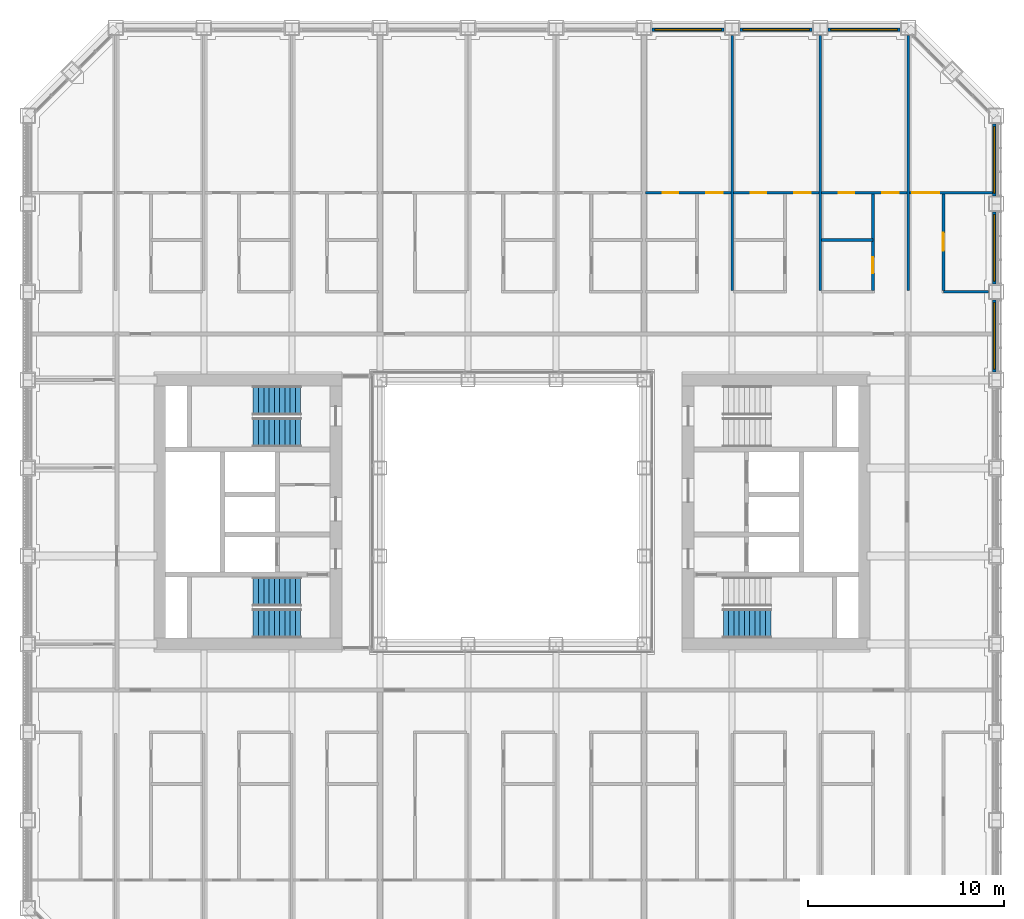
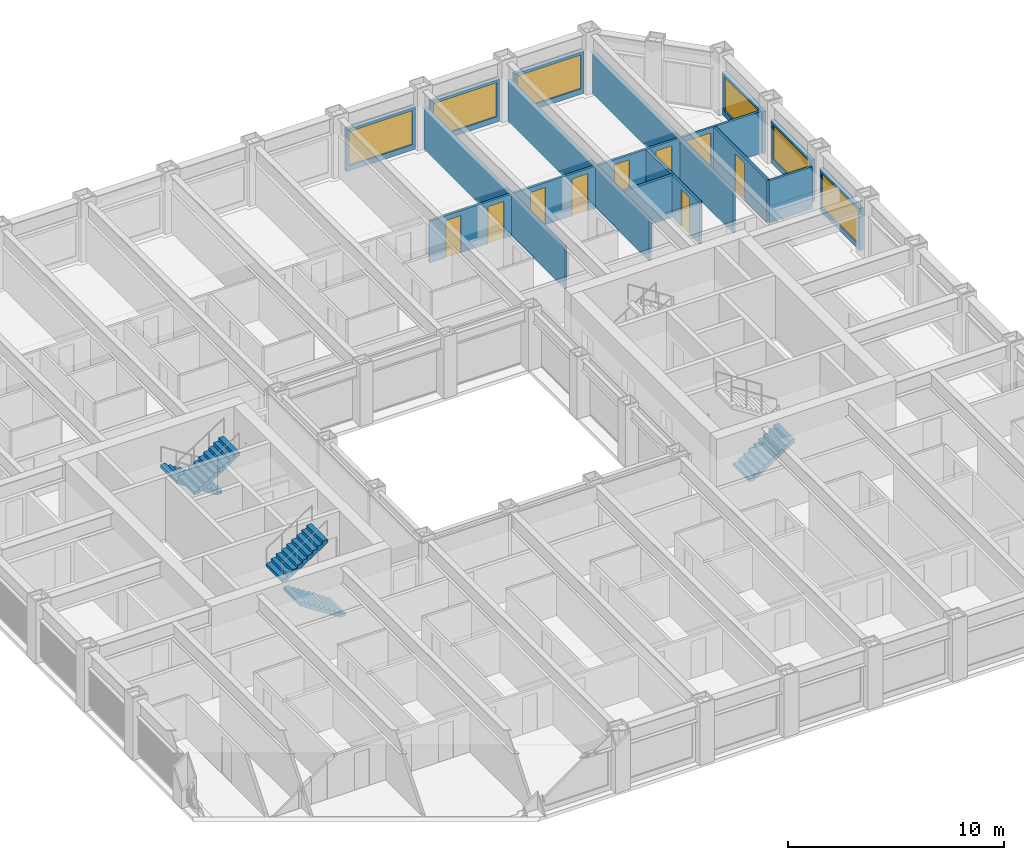
# One storey, part 15 of 21: 17 walls, 9 doors, 6 windows, 5 stair flights, 15 openings, 3 elements without a shape of their own.
"""IFC4 building model written with IfcOpenShell, lengths in metres."""

from ifc_helpers import new_model, si_unit, direction, frame, frame_2d, origin, place, context, subcontext, project, spatial, polyline, rectangle, outline, extrude, material, layer, layer_set, type_object, element, fill, aggregate, save


model = new_model("IFC4")

# Units and contexts
model_context = context("Model", 3, precision=1e-05, world=origin(), true_north=direction((0.0, 1.0)))
body_context = subcontext(model_context, "Body", "Model", "MODEL_VIEW")
ifc_project = project(units=[si_unit("LENGTHUNIT", "METRE"), si_unit("AREAUNIT", "SQUARE_METRE"), si_unit("VOLUMEUNIT", "CUBIC_METRE"), si_unit("PLANEANGLEUNIT", "RADIAN"), si_unit("MASSUNIT", "GRAM", prefix="KILO")], contexts=[model_context])

# Site, building, storey
site_placement = place(None, origin())
site = spatial("IfcSite", under=ifc_project, at=site_placement, CompositionType="ELEMENT")
building_placement = place(site_placement, origin())
building = spatial("IfcBuilding", under=site, at=building_placement, Name="Msasa Ring Tower", CompositionType="ELEMENT")
storey_placement = place(building_placement, frame((0.0, 0.0, 96.5)))
storey = spatial("IfcBuildingStorey", under=building, at=storey_placement, Name="L25", CompositionType="ELEMENT", Elevation=96.5)

# Wall, opening, window
ifc_material_1 = material(Name="Terracotta rainscreen on blockwork", Category="masonry")
ifc_layer_1 = layer(ifc_material_1, 0.199951171875)
ifc_layer_set_1 = layer_set([ifc_layer_1], Name="FW1 TERRACOTTA-LINED INFILL BAY WALL 200")
wall_type_1 = type_object("IfcWallType", Name="FW1 TERRACOTTA-LINED INFILL BAY WALL 200", PredefinedType="SOLIDWALL", material=ifc_layer_set_1)
wall_1_placement = place(storey_placement, frame((24.64990234375, 7.155029296875, 0.0), z_axis=(0.0, 0.0, 1.0), x_axis=(0.0, 1.0, 0.0)))
wall_1 = element("IfcWall", 1, at=wall_1_placement, inside=storey, type_object=wall_type_1, Name="Infill bay wall E L25 17", PredefinedType="SOLIDWALL", context=body_context, shape_type="SweptSolid", body=[
    extrude(rectangle(XDim=3.68994140625, YDim=0.199951171875, at=frame_2d((1.844970703125, 0.0))), origin(), (0.0, 0.0, 1.0), 2.37890625),
])
opening_1_placement = place(wall_1_placement, frame((0.14501953125, 0.0, 0.300048828125)))
opening_1 = element("IfcOpeningElement", 2, at=opening_1_placement, cuts=wall_1, Name="Opening WN1", PredefinedType="OPENING", context=body_context, shape_type="SweptSolid", body=[
    extrude(rectangle(XDim=3.39990234375, YDim=1.928955078125, at=frame_2d((1.699951171875, 0.96435546875))), frame((0.0, 0.10986328125, 0.0), z_axis=(0.0, -1.0, 0.0), x_axis=(1.0, 0.0, 0.0)), (0.0, 0.0, 1.0), 0.219970703125),
])
ifc_material_2 = material(Name="Aluminium frame with clear glass", Category="aluminium")
window_type = type_object("IfcWindowType", Name="WN1 RESIDENCE WINDOW 3400x1929", PartitioningType="SINGLE_PANEL", PredefinedType="WINDOW", material=ifc_material_2)
window_1_placement = place(opening_1_placement, origin())
window_1 = element("IfcWindow", 3, at=window_1_placement, inside=storey, type_object=window_type, Name="Window E L25 17", OverallHeight=1.928955078125, OverallWidth=3.39990234375, PartitioningType="SINGLE_PANEL", PredefinedType="WINDOW", context=body_context, shape_type="SweptSolid", body=[
    extrude(rectangle(XDim=3.39990234375, YDim=1.928955078125, at=frame_2d((1.699951171875, 0.96435546875))), frame((0.0, 0.030029296875, 0.0), z_axis=(0.0, -1.0, 0.0), x_axis=(1.0, 0.0, 0.0)), (0.0, 0.0, 1.0), 0.06005859375),
])
fill(opening_1, window_1)

wall_2_placement = place(storey_placement, frame((24.64990234375, 11.655029296875, 0.0), z_axis=(0.0, 0.0, 1.0), x_axis=(0.0, 1.0, 0.0)))
wall_2 = element("IfcWall", 4, at=wall_2_placement, inside=storey, type_object=wall_type_1, Name="Infill bay wall E L25 18", PredefinedType="SOLIDWALL", context=body_context, shape_type="SweptSolid", body=[
    extrude(rectangle(XDim=3.68994140625, YDim=0.199951171875, at=frame_2d((1.844970703125, 0.0))), origin(), (0.0, 0.0, 1.0), 2.37890625),
])
opening_2_placement = place(wall_2_placement, frame((0.14501953125, 0.0, 0.300048828125)))
opening_2 = element("IfcOpeningElement", 5, at=opening_2_placement, cuts=wall_2, Name="Opening WN1", PredefinedType="OPENING", context=body_context, shape_type="SweptSolid", body=[
    extrude(rectangle(XDim=3.39990234375, YDim=1.928955078125, at=frame_2d((1.699951171875, 0.96435546875))), frame((0.0, 0.10986328125, 0.0), z_axis=(0.0, -1.0, 0.0), x_axis=(1.0, 0.0, 0.0)), (0.0, 0.0, 1.0), 0.219970703125),
])
window_2_placement = place(opening_2_placement, origin())
window_2 = element("IfcWindow", 6, at=window_2_placement, inside=storey, type_object=window_type, Name="Window E L25 18", OverallHeight=1.928955078125, OverallWidth=3.39990234375, PartitioningType="SINGLE_PANEL", PredefinedType="WINDOW", context=body_context, shape_type="SweptSolid", body=[
    extrude(rectangle(XDim=3.39990234375, YDim=1.928955078125, at=frame_2d((1.699951171875, 0.96435546875))), frame((0.0, 0.030029296875, 0.0), z_axis=(0.0, -1.0, 0.0), x_axis=(1.0, 0.0, 0.0)), (0.0, 0.0, 1.0), 0.06005859375),
])
fill(opening_2, window_2)

wall_3_placement = place(storey_placement, frame((24.64990234375, 16.155029296875, 0.0), z_axis=(0.0, 0.0, 1.0), x_axis=(0.0, 1.0, 0.0)))
wall_3 = element("IfcWall", 7, at=wall_3_placement, inside=storey, type_object=wall_type_1, Name="Infill bay wall E L25 19", PredefinedType="SOLIDWALL", context=body_context, shape_type="SweptSolid", body=[
    extrude(rectangle(XDim=3.68994140625, YDim=0.199951171875, at=frame_2d((1.844970703125, 0.0))), origin(), (0.0, 0.0, 1.0), 2.37890625),
])
opening_3_placement = place(wall_3_placement, frame((0.14501953125, 0.0, 0.300048828125)))
opening_3 = element("IfcOpeningElement", 8, at=opening_3_placement, cuts=wall_3, Name="Opening WN1", PredefinedType="OPENING", context=body_context, shape_type="SweptSolid", body=[
    extrude(rectangle(XDim=3.39990234375, YDim=1.928955078125, at=frame_2d((1.699951171875, 0.96435546875))), frame((0.0, 0.10986328125, 0.0), z_axis=(0.0, -1.0, 0.0), x_axis=(1.0, 0.0, 0.0)), (0.0, 0.0, 1.0), 0.219970703125),
])
window_3_placement = place(opening_3_placement, origin())
window_3 = element("IfcWindow", 9, at=window_3_placement, inside=storey, type_object=window_type, Name="Window E L25 19", OverallHeight=1.928955078125, OverallWidth=3.39990234375, PartitioningType="SINGLE_PANEL", PredefinedType="WINDOW", context=body_context, shape_type="SweptSolid", body=[
    extrude(rectangle(XDim=3.39990234375, YDim=1.928955078125, at=frame_2d((1.699951171875, 0.96435546875))), frame((0.0, 0.030029296875, 0.0), z_axis=(0.0, -1.0, 0.0), x_axis=(1.0, 0.0, 0.0)), (0.0, 0.0, 1.0), 0.06005859375),
])
fill(opening_3, window_3)

wall_4_placement = place(storey_placement, frame((7.155029296875, 24.64990234375, 0.0), z_axis=(0.0, 0.0, 1.0), x_axis=(1.0, 0.0, 0.0)))
wall_4 = element("IfcWall", 10, at=wall_4_placement, inside=storey, type_object=wall_type_1, Name="Infill bay wall N L25 28", PredefinedType="SOLIDWALL", context=body_context, shape_type="SweptSolid", body=[
    extrude(rectangle(XDim=3.68994140625, YDim=0.199951171875, at=frame_2d((1.844970703125, 0.0))), origin(), (0.0, 0.0, 1.0), 2.37890625),
])
opening_4_placement = place(wall_4_placement, frame((0.14501953125, 0.0, 0.300048828125)))
opening_4 = element("IfcOpeningElement", 11, at=opening_4_placement, cuts=wall_4, Name="Opening WN1", PredefinedType="OPENING", context=body_context, shape_type="SweptSolid", body=[
    extrude(rectangle(XDim=3.39990234375, YDim=1.928955078125, at=frame_2d((1.699951171875, 0.96435546875))), frame((0.0, 0.10986328125, 0.0), z_axis=(0.0, -1.0, 0.0), x_axis=(1.0, 0.0, 0.0)), (0.0, 0.0, 1.0), 0.219970703125),
])
window_4_placement = place(opening_4_placement, origin())
window_4 = element("IfcWindow", 12, at=window_4_placement, inside=storey, type_object=window_type, Name="Window N L25 28", OverallHeight=1.928955078125, OverallWidth=3.39990234375, PartitioningType="SINGLE_PANEL", PredefinedType="WINDOW", context=body_context, shape_type="SweptSolid", body=[
    extrude(rectangle(XDim=3.39990234375, YDim=1.928955078125, at=frame_2d((1.699951171875, 0.96435546875))), frame((0.0, 0.030029296875, 0.0), z_axis=(0.0, -1.0, 0.0), x_axis=(1.0, 0.0, 0.0)), (0.0, 0.0, 1.0), 0.06005859375),
])
fill(opening_4, window_4)

wall_5_placement = place(storey_placement, frame((11.655029296875, 24.64990234375, 0.0), z_axis=(0.0, 0.0, 1.0), x_axis=(1.0, 0.0, 0.0)))
wall_5 = element("IfcWall", 13, at=wall_5_placement, inside=storey, type_object=wall_type_1, Name="Infill bay wall N L25 29", PredefinedType="SOLIDWALL", context=body_context, shape_type="SweptSolid", body=[
    extrude(rectangle(XDim=3.68994140625, YDim=0.199951171875, at=frame_2d((1.844970703125, 0.0))), origin(), (0.0, 0.0, 1.0), 2.37890625),
])
opening_5_placement = place(wall_5_placement, frame((0.14501953125, 0.0, 0.300048828125)))
opening_5 = element("IfcOpeningElement", 14, at=opening_5_placement, cuts=wall_5, Name="Opening WN1", PredefinedType="OPENING", context=body_context, shape_type="SweptSolid", body=[
    extrude(rectangle(XDim=3.39990234375, YDim=1.928955078125, at=frame_2d((1.699951171875, 0.96435546875))), frame((0.0, 0.10986328125, 0.0), z_axis=(0.0, -1.0, 0.0), x_axis=(1.0, 0.0, 0.0)), (0.0, 0.0, 1.0), 0.219970703125),
])
window_5_placement = place(opening_5_placement, origin())
window_5 = element("IfcWindow", 15, at=window_5_placement, inside=storey, type_object=window_type, Name="Window N L25 29", OverallHeight=1.928955078125, OverallWidth=3.39990234375, PartitioningType="SINGLE_PANEL", PredefinedType="WINDOW", context=body_context, shape_type="SweptSolid", body=[
    extrude(rectangle(XDim=3.39990234375, YDim=1.928955078125, at=frame_2d((1.699951171875, 0.96435546875))), frame((0.0, 0.030029296875, 0.0), z_axis=(0.0, -1.0, 0.0), x_axis=(1.0, 0.0, 0.0)), (0.0, 0.0, 1.0), 0.06005859375),
])
fill(opening_5, window_5)

wall_6_placement = place(storey_placement, frame((16.155029296875, 24.64990234375, 0.0), z_axis=(0.0, 0.0, 1.0), x_axis=(1.0, 0.0, 0.0)))
wall_6 = element("IfcWall", 16, at=wall_6_placement, inside=storey, type_object=wall_type_1, Name="Infill bay wall N L25 30", PredefinedType="SOLIDWALL", context=body_context, shape_type="SweptSolid", body=[
    extrude(rectangle(XDim=3.68994140625, YDim=0.199951171875, at=frame_2d((1.844970703125, 0.0))), origin(), (0.0, 0.0, 1.0), 2.37890625),
])
opening_6_placement = place(wall_6_placement, frame((0.14501953125, 0.0, 0.300048828125)))
opening_6 = element("IfcOpeningElement", 17, at=opening_6_placement, cuts=wall_6, Name="Opening WN1", PredefinedType="OPENING", context=body_context, shape_type="SweptSolid", body=[
    extrude(rectangle(XDim=3.39990234375, YDim=1.928955078125, at=frame_2d((1.699951171875, 0.96435546875))), frame((0.0, 0.10986328125, 0.0), z_axis=(0.0, -1.0, 0.0), x_axis=(1.0, 0.0, 0.0)), (0.0, 0.0, 1.0), 0.219970703125),
])
window_6_placement = place(opening_6_placement, origin())
window_6 = element("IfcWindow", 18, at=window_6_placement, inside=storey, type_object=window_type, Name="Window N L25 30", OverallHeight=1.928955078125, OverallWidth=3.39990234375, PartitioningType="SINGLE_PANEL", PredefinedType="WINDOW", context=body_context, shape_type="SweptSolid", body=[
    extrude(rectangle(XDim=3.39990234375, YDim=1.928955078125, at=frame_2d((1.699951171875, 0.96435546875))), frame((0.0, 0.030029296875, 0.0), z_axis=(0.0, -1.0, 0.0), x_axis=(1.0, 0.0, 0.0)), (0.0, 0.0, 1.0), 0.06005859375),
])
fill(opening_6, window_6)

# Wall, opening, door
ifc_material_3 = material(Name="Moisture-resistant board on steel studs with a concealed cistern and pipe void, tiled", Category="steel")
ifc_layer_2 = layer(ifc_material_3, 0.14990234375)
ifc_layer_set_2 = layer_set([ifc_layer_2], Name="PT4 BATHROOM WET WALL 150")
wall_type_2 = type_object("IfcWallType", Name="PT4 BATHROOM WET WALL 150", PredefinedType="PARTITIONING", material=ifc_layer_set_2)
wall_7_placement = place(storey_placement, frame((22.050048828125, 11.3125, 0.0), z_axis=(0.0, 0.0, 1.0), x_axis=(0.0, 1.0, 0.0)))
wall_7 = element("IfcWall", 19, at=wall_7_placement, inside=storey, type_object=wall_type_2, Name="Partition L25-UN02SX0", PredefinedType="PARTITIONING", context=body_context, shape_type="SweptSolid", body=[
    extrude(rectangle(XDim=5.0, YDim=0.14990234375, at=frame_2d((2.5, 0.0))), origin(), (0.0, 0.0, 1.0), 2.373291015625),
])
opening_7_placement = place(wall_7_placement, frame((2.050048828125, 0.0, 0.0)))
opening_7 = element("IfcOpeningElement", 20, at=opening_7_placement, cuts=wall_7, Name="Opening RG-022", PredefinedType="OPENING", context=body_context, shape_type="SweptSolid", body=[
    extrude(rectangle(XDim=0.89990234375, YDim=2.10009765625, at=frame_2d((0.449951171875, 1.050048828125))), frame((0.0, 0.0849609375, 0.0), z_axis=(0.0, -1.0, 0.0), x_axis=(1.0, 0.0, 0.0)), (0.0, 0.0, 1.0), 0.169921875),
])
ifc_material_4 = material(Name="Timber door leaf in a steel frame", Category="steel")
door_type_1 = type_object("IfcDoorType", Name="D22 INTERNAL HALL DOOR 900x2100", OperationType="SINGLE_SWING_LEFT", PredefinedType="DOOR", material=ifc_material_4)
door_1_placement = place(opening_7_placement, origin())
door_1 = element("IfcDoor", 21, at=door_1_placement, inside=storey, type_object=door_type_1, Name="Door L25-UN02K", OperationType="SINGLE_SWING_LEFT", OverallHeight=2.10009765625, OverallWidth=0.89990234375, PredefinedType="DOOR", context=body_context, shape_type="SweptSolid", body=[
    extrude(rectangle(XDim=0.89990234375, YDim=2.10009765625, at=frame_2d((0.449951171875, 1.050048828125))), frame((0.0, 0.02490234375, 0.0), z_axis=(0.0, -1.0, 0.0), x_axis=(1.0, 0.0, 0.0)), (0.0, 0.0, 1.0), 0.050048828125),
])
fill(opening_7, door_1)

wall_8_placement = place(storey_placement, frame((18.449951171875, 11.3125, 0.0), z_axis=(0.0, 0.0, 1.0), x_axis=(0.0, 1.0, 0.0)))
wall_8 = element("IfcWall", 22, at=wall_8_placement, inside=storey, type_object=wall_type_2, Name="Partition L25-UN02SX1", PredefinedType="PARTITIONING", context=body_context, shape_type="SweptSolid", body=[
    extrude(rectangle(XDim=5.0, YDim=0.14990234375, at=frame_2d((2.5, 0.0))), origin(), (0.0, 0.0, 1.0), 2.373291015625),
])
opening_8_placement = place(wall_8_placement, frame((0.89990234375, 0.0, 0.0)))
opening_8 = element("IfcOpeningElement", 23, at=opening_8_placement, cuts=wall_8, Name="Opening RG-030", PredefinedType="OPENING", context=body_context, shape_type="SweptSolid", body=[
    extrude(rectangle(XDim=0.800048828125, YDim=2.10009765625, at=frame_2d((0.39990234375, 1.050048828125))), frame((0.0, 0.0849609375, 0.0), z_axis=(0.0, -1.0, 0.0), x_axis=(1.0, 0.0, 0.0)), (0.0, 0.0, 1.0), 0.169921875),
])
ifc_material_5 = material(Name="Timber door leaf in a steel frame", Category="steel")
door_type_2 = type_object("IfcDoorType", Name="D21 POCKET SLIDING BATHROOM DOOR 800x2100", OperationType="SINGLE_SWING_LEFT", PredefinedType="DOOR", material=ifc_material_5)
door_2_placement = place(opening_8_placement, origin())
door_2 = element("IfcDoor", 24, at=door_2_placement, inside=storey, type_object=door_type_2, Name="Door L25-UN02B1", OperationType="SINGLE_SWING_LEFT", OverallHeight=2.10009765625, OverallWidth=0.800048828125, PredefinedType="DOOR", context=body_context, shape_type="SweptSolid", body=[
    extrude(rectangle(XDim=0.800048828125, YDim=2.10009765625, at=frame_2d((0.39990234375, 1.050048828125))), frame((0.0, 0.02490234375, 0.0), z_axis=(0.0, -1.0, 0.0), x_axis=(1.0, 0.0, 0.0)), (0.0, 0.0, 1.0), 0.050048828125),
])
fill(opening_8, door_2)

# Walls
wall_9_placement = place(storey_placement, frame((15.8125, 13.91259765625, 0.0), z_axis=(0.0, 0.0, 1.0), x_axis=(1.0, 0.0, 0.0)))
element("IfcWall", 25, at=wall_9_placement, inside=storey, type_object=wall_type_2, Name="Partition L25-UN02SB1", PredefinedType="PARTITIONING", context=body_context, shape_type="SweptSolid", body=[
    extrude(rectangle(XDim=2.637451171875, YDim=0.14990234375, at=frame_2d((1.31884765625, 0.0))), origin(), (0.0, 0.0, 1.0), 2.373291015625),
])
ifc_material_6 = material(Name="Two layers of acoustic board each face on steel studs, mineral wool", Category="steel")
ifc_layer_3 = layer(ifc_material_6, 0.125)
ifc_layer_set_3 = layer_set([ifc_layer_3], Name="PT6 ACOUSTIC DOUBLE-BOARD PARTITION 125")
wall_type_3 = type_object("IfcWallType", Name="PT6 ACOUSTIC DOUBLE-BOARD PARTITION 125", PredefinedType="PARTITIONING", material=ifc_layer_set_3)
wall_10_placement = place(storey_placement, frame((22.050048828125, 11.25, 0.0), z_axis=(0.0, 0.0, 1.0), x_axis=(1.0, 0.0, 0.0)))
element("IfcWall", 26, at=wall_10_placement, inside=storey, type_object=wall_type_3, Name="Partition L25-UN02HY0", PredefinedType="PARTITIONING", context=body_context, shape_type="SweptSolid", body=[
    extrude(rectangle(XDim=2.300048828125, YDim=0.125, at=frame_2d((1.14990234375, 0.0))), origin(), (0.0, 0.0, 1.0), 2.373291015625),
])

# Wall, opening, door
wall_11_placement = place(storey_placement, frame((20.3125, 16.3125, 0.0), z_axis=(0.0, 0.0, 1.0), x_axis=(1.0, 0.0, 0.0)))
wall_11 = element("IfcWall", 27, at=wall_11_placement, inside=storey, type_object=wall_type_3, Name="Partition L25-UN02SY0", PredefinedType="PARTITIONING", context=body_context, shape_type="SweptSolid", body=[
    extrude(rectangle(XDim=4.237548828125, YDim=0.125, at=frame_2d((2.11865234375, 0.0))), origin(), (0.0, 0.0, 1.0), 2.373291015625),
])
opening_9_placement = place(wall_11_placement, frame((0.137451171875, 0.0, 0.0)))
opening_9 = element("IfcOpeningElement", 28, at=opening_9_placement, cuts=wall_11, Name="Opening RG-019", PredefinedType="OPENING", context=body_context, shape_type="SweptSolid", body=[
    extrude(rectangle(XDim=1.39990234375, YDim=2.10009765625, at=frame_2d((0.699951171875, 1.050048828125))), frame((0.0, 0.072509765625, 0.0), z_axis=(0.0, -1.0, 0.0), x_axis=(1.0, 0.0, 0.0)), (0.0, 0.0, 1.0), 0.14501953125),
])
ifc_material_7 = material(Name="Timber door leaf in a steel frame", Category="steel")
door_type_3 = type_object("IfcDoorType", Name="D15 LIVING ROOM PAIR OF GLAZED DOORS 1400x2100", OperationType="SINGLE_SWING_LEFT", PredefinedType="DOOR", material=ifc_material_7)
door_3_placement = place(opening_9_placement, origin())
door_3 = element("IfcDoor", 29, at=door_3_placement, inside=storey, type_object=door_type_3, Name="Door L25-UN02L", OperationType="SINGLE_SWING_LEFT", OverallHeight=2.10009765625, OverallWidth=1.39990234375, PredefinedType="DOOR", context=body_context, shape_type="SweptSolid", body=[
    extrude(rectangle(XDim=1.39990234375, YDim=2.10009765625, at=frame_2d((0.699951171875, 1.050048828125))), frame((0.0, 0.02490234375, 0.0), z_axis=(0.0, -1.0, 0.0), x_axis=(1.0, 0.0, 0.0)), (0.0, 0.0, 1.0), 0.050048828125),
])
fill(opening_9, door_3)

# Wall
wall_12_placement = place(storey_placement, frame((20.25, 11.3125, 0.0), z_axis=(0.0, 0.0, 1.0), x_axis=(0.0, 1.0, 0.0)))
element("IfcWall", 30, at=wall_12_placement, inside=storey, type_object=wall_type_3, Name="Partition L25-UN02P1", PredefinedType="PARTITIONING", context=body_context, shape_type="SweptSolid", body=[
    extrude(rectangle(XDim=13.03759765625, YDim=0.125, at=frame_2d((6.518798828125, 0.0))), origin(), (0.0, 0.0, 1.0), 2.373291015625),
])

# Wall, openings, doors
wall_13_placement = place(storey_placement, frame((15.8125, 16.3125, 0.0), z_axis=(0.0, 0.0, 1.0), x_axis=(1.0, 0.0, 0.0)))
wall_13 = element("IfcWall", 31, at=wall_13_placement, inside=storey, type_object=wall_type_3, Name="Partition L25-UN02SY1", PredefinedType="PARTITIONING", context=body_context, shape_type="SweptSolid", body=[
    extrude(rectangle(XDim=4.375, YDim=0.125, at=frame_2d((2.1875, 0.0))), origin(), (0.0, 0.0, 1.0), 2.373291015625),
])
opening_10_placement = place(wall_13_placement, frame((3.112548828125, 0.0, 0.0)))
opening_10 = element("IfcOpeningElement", 32, at=opening_10_placement, cuts=wall_13, Name="Opening RG-018", PredefinedType="OPENING", context=body_context, shape_type="SweptSolid", body=[
    extrude(rectangle(XDim=0.85009765625, YDim=2.10009765625, at=frame_2d((0.425048828125, 1.050048828125))), frame((0.0, 0.072509765625, 0.0), z_axis=(0.0, -1.0, 0.0), x_axis=(1.0, 0.0, 0.0)), (0.0, 0.0, 1.0), 0.14501953125),
])
opening_11_placement = place(wall_13_placement, frame((0.88134765625, 0.0, 0.0)))
opening_11 = element("IfcOpeningElement", 33, at=opening_11_placement, cuts=wall_13, Name="Opening RG-017", PredefinedType="OPENING", context=body_context, shape_type="SweptSolid", body=[
    extrude(rectangle(XDim=0.800048828125, YDim=2.10009765625, at=frame_2d((0.39990234375, 1.050048828125))), frame((0.0, 0.072509765625, 0.0), z_axis=(0.0, -1.0, 0.0), x_axis=(1.0, 0.0, 0.0)), (0.0, 0.0, 1.0), 0.14501953125),
])
ifc_material_8 = material(Name="Timber door leaf in a steel frame", Category="steel")
door_type_4 = type_object("IfcDoorType", Name="D14 BEDROOM DOOR 850x2100", OperationType="SINGLE_SWING_LEFT", PredefinedType="DOOR", material=ifc_material_8)
door_4_placement = place(opening_10_placement, origin())
door_4 = element("IfcDoor", 34, at=door_4_placement, inside=storey, type_object=door_type_4, Name="Door L25-UN02R1", OperationType="SINGLE_SWING_RIGHT", OverallHeight=2.10009765625, OverallWidth=0.85009765625, PredefinedType="DOOR", context=body_context, shape_type="SweptSolid", body=[
    extrude(rectangle(XDim=0.85009765625, YDim=2.10009765625, at=frame_2d((0.425048828125, 1.050048828125))), frame((0.0, 0.02490234375, 0.0), z_axis=(0.0, -1.0, 0.0), x_axis=(1.0, 0.0, 0.0)), (0.0, 0.0, 1.0), 0.050048828125),
])
fill(opening_10, door_4)
ifc_material_9 = material(Name="Timber door leaf in a steel frame", Category="steel")
door_type_5 = type_object("IfcDoorType", Name="D60 DRESSING ROOM DOOR 800x2100", OperationType="SINGLE_SWING_LEFT", PredefinedType="DOOR", material=ifc_material_9)
door_5_placement = place(opening_11_placement, origin())
door_5 = element("IfcDoor", 35, at=door_5_placement, inside=storey, type_object=door_type_5, Name="Door L25-UN02W1", OperationType="SINGLE_SWING_LEFT", OverallHeight=2.10009765625, OverallWidth=0.800048828125, PredefinedType="DOOR", context=body_context, shape_type="SweptSolid", body=[
    extrude(rectangle(XDim=0.800048828125, YDim=2.10009765625, at=frame_2d((0.39990234375, 1.050048828125))), frame((0.0, 0.02490234375, 0.0), z_axis=(0.0, -1.0, 0.0), x_axis=(1.0, 0.0, 0.0)), (0.0, 0.0, 1.0), 0.050048828125),
])
fill(opening_11, door_5)

# Wall
wall_14_placement = place(storey_placement, frame((15.75, 11.3125, 0.0), z_axis=(0.0, 0.0, 1.0), x_axis=(0.0, 1.0, 0.0)))
element("IfcWall", 36, at=wall_14_placement, inside=storey, type_object=wall_type_3, Name="Partition L25-UN02P2", PredefinedType="PARTITIONING", context=body_context, shape_type="SweptSolid", body=[
    extrude(rectangle(XDim=13.03759765625, YDim=0.125, at=frame_2d((6.518798828125, 0.0))), origin(), (0.0, 0.0, 1.0), 2.373291015625),
])

# Wall, openings, doors
wall_15_placement = place(storey_placement, frame((11.3125, 16.3125, 0.0), z_axis=(0.0, 0.0, 1.0), x_axis=(1.0, 0.0, 0.0)))
wall_15 = element("IfcWall", 37, at=wall_15_placement, inside=storey, type_object=wall_type_3, Name="Partition L25-UN02SY2", PredefinedType="PARTITIONING", context=body_context, shape_type="SweptSolid", body=[
    extrude(rectangle(XDim=4.375, YDim=0.125, at=frame_2d((2.1875, 0.0))), origin(), (0.0, 0.0, 1.0), 2.373291015625),
])
opening_12_placement = place(wall_15_placement, frame((3.112548828125, 0.0, 0.0)))
opening_12 = element("IfcOpeningElement", 38, at=opening_12_placement, cuts=wall_15, Name="Opening RG-016", PredefinedType="OPENING", context=body_context, shape_type="SweptSolid", body=[
    extrude(rectangle(XDim=0.85009765625, YDim=2.10009765625, at=frame_2d((0.425048828125, 1.050048828125))), frame((0.0, 0.072509765625, 0.0), z_axis=(0.0, -1.0, 0.0), x_axis=(1.0, 0.0, 0.0)), (0.0, 0.0, 1.0), 0.14501953125),
])
opening_13_placement = place(wall_15_placement, frame((0.88134765625, 0.0, 0.0)))
opening_13 = element("IfcOpeningElement", 39, at=opening_13_placement, cuts=wall_15, Name="Opening RG-015", PredefinedType="OPENING", context=body_context, shape_type="SweptSolid", body=[
    extrude(rectangle(XDim=0.800048828125, YDim=2.10009765625, at=frame_2d((0.39990234375, 1.050048828125))), frame((0.0, 0.072509765625, 0.0), z_axis=(0.0, -1.0, 0.0), x_axis=(1.0, 0.0, 0.0)), (0.0, 0.0, 1.0), 0.14501953125),
])
door_6_placement = place(opening_12_placement, origin())
door_6 = element("IfcDoor", 40, at=door_6_placement, inside=storey, type_object=door_type_4, Name="Door L25-UN02R2", OperationType="SINGLE_SWING_RIGHT", OverallHeight=2.10009765625, OverallWidth=0.85009765625, PredefinedType="DOOR", context=body_context, shape_type="SweptSolid", body=[
    extrude(rectangle(XDim=0.85009765625, YDim=2.10009765625, at=frame_2d((0.425048828125, 1.050048828125))), frame((0.0, 0.02490234375, 0.0), z_axis=(0.0, -1.0, 0.0), x_axis=(1.0, 0.0, 0.0)), (0.0, 0.0, 1.0), 0.050048828125),
])
fill(opening_12, door_6)
door_7_placement = place(opening_13_placement, origin())
door_7 = element("IfcDoor", 41, at=door_7_placement, inside=storey, type_object=door_type_5, Name="Door L25-UN02W2", OperationType="SINGLE_SWING_LEFT", OverallHeight=2.10009765625, OverallWidth=0.800048828125, PredefinedType="DOOR", context=body_context, shape_type="SweptSolid", body=[
    extrude(rectangle(XDim=0.800048828125, YDim=2.10009765625, at=frame_2d((0.39990234375, 1.050048828125))), frame((0.0, 0.02490234375, 0.0), z_axis=(0.0, -1.0, 0.0), x_axis=(1.0, 0.0, 0.0)), (0.0, 0.0, 1.0), 0.050048828125),
])
fill(opening_13, door_7)

# Wall
wall_16_placement = place(storey_placement, frame((11.25, 11.3125, 0.0), z_axis=(0.0, 0.0, 1.0), x_axis=(0.0, 1.0, 0.0)))
element("IfcWall", 42, at=wall_16_placement, inside=storey, type_object=wall_type_3, Name="Partition L25-UN02P3", PredefinedType="PARTITIONING", context=body_context, shape_type="SweptSolid", body=[
    extrude(rectangle(XDim=13.03759765625, YDim=0.125, at=frame_2d((6.518798828125, 0.0))), origin(), (0.0, 0.0, 1.0), 2.373291015625),
])

# Wall, openings, doors
wall_17_placement = place(storey_placement, frame((6.8173828125, 16.3125, 0.0), z_axis=(0.0, 0.0, 1.0), x_axis=(1.0, 0.0, 0.0)))
wall_17 = element("IfcWall", 43, at=wall_17_placement, inside=storey, type_object=wall_type_3, Name="Partition L25-UN02SY3", PredefinedType="PARTITIONING", context=body_context, shape_type="SweptSolid", body=[
    extrude(rectangle(XDim=4.3701171875, YDim=0.125, at=frame_2d((2.18505859375, 0.0))), origin(), (0.0, 0.0, 1.0), 2.373291015625),
])
opening_14_placement = place(wall_17_placement, frame((3.107421875, 0.0, 0.0)))
opening_14 = element("IfcOpeningElement", 44, at=opening_14_placement, cuts=wall_17, Name="Opening RG-014", PredefinedType="OPENING", context=body_context, shape_type="SweptSolid", body=[
    extrude(rectangle(XDim=0.85009765625, YDim=2.10009765625, at=frame_2d((0.425048828125, 1.050048828125))), frame((0.0, 0.072509765625, 0.0), z_axis=(0.0, -1.0, 0.0), x_axis=(1.0, 0.0, 0.0)), (0.0, 0.0, 1.0), 0.14501953125),
])
opening_15_placement = place(wall_17_placement, frame((0.876220703125, 0.0, 0.0)))
opening_15 = element("IfcOpeningElement", 45, at=opening_15_placement, cuts=wall_17, Name="Opening RG-013", PredefinedType="OPENING", context=body_context, shape_type="SweptSolid", body=[
    extrude(rectangle(XDim=0.800048828125, YDim=2.10009765625, at=frame_2d((0.39990234375, 1.050048828125))), frame((0.0, 0.072509765625, 0.0), z_axis=(0.0, -1.0, 0.0), x_axis=(1.0, 0.0, 0.0)), (0.0, 0.0, 1.0), 0.14501953125),
])
door_8_placement = place(opening_14_placement, origin())
door_8 = element("IfcDoor", 46, at=door_8_placement, inside=storey, type_object=door_type_4, Name="Door L25-UN02R3", OperationType="SINGLE_SWING_RIGHT", OverallHeight=2.10009765625, OverallWidth=0.85009765625, PredefinedType="DOOR", context=body_context, shape_type="SweptSolid", body=[
    extrude(rectangle(XDim=0.85009765625, YDim=2.10009765625, at=frame_2d((0.425048828125, 1.050048828125))), frame((0.0, 0.02490234375, 0.0), z_axis=(0.0, -1.0, 0.0), x_axis=(1.0, 0.0, 0.0)), (0.0, 0.0, 1.0), 0.050048828125),
])
fill(opening_14, door_8)
door_9_placement = place(opening_15_placement, origin())
door_9 = element("IfcDoor", 47, at=door_9_placement, inside=storey, type_object=door_type_5, Name="Door L25-UN02W3", OperationType="SINGLE_SWING_LEFT", OverallHeight=2.10009765625, OverallWidth=0.800048828125, PredefinedType="DOOR", context=body_context, shape_type="SweptSolid", body=[
    extrude(rectangle(XDim=0.800048828125, YDim=2.10009765625, at=frame_2d((0.39990234375, 1.050048828125))), frame((0.0, 0.02490234375, 0.0), z_axis=(0.0, -1.0, 0.0), x_axis=(1.0, 0.0, 0.0)), (0.0, 0.0, 1.0), 0.050048828125),
])
fill(opening_15, door_9)

# Stair, stair flight
ifc_material_10 = material(Name="Concrete C40/50", Category="concrete")
stair_type = type_object("IfcStairType", Name="STC CORE STAIR 20 RISERS 175", PredefinedType="HALF_TURN_STAIR", material=ifc_material_10)
stair_1_placement = place(storey_placement, origin())
stair_1 = element("IfcStair", 48, at=stair_1_placement, inside=storey, type_object=stair_type, Name="Core stair SEA L25", PredefinedType="HALF_TURN_STAIR")
ifc_material_11 = material(Name="Concrete C40/50", Category="concrete")
stair_flight_type = type_object("IfcStairFlightType", Name="ST12 CORE STAIR FLIGHT 1500 10 RISERS 175", PredefinedType="STRAIGHT", material=ifc_material_11)
stair_flight_1_placement = place(storey_placement, frame((10.800048828125, -5.699951171875, 0.0), z_axis=(0.0, 0.0, 1.0), x_axis=(1.0, 0.0, 0.0)))
stair_flight_1 = element("IfcStairFlight", 49, at=stair_flight_1_placement, type_object=stair_flight_type, Name="SEA flight 1", NumberOfRisers=10, NumberOfTreads=9, PredefinedType="STRAIGHT", RiserHeight=0.175, TreadLength=0.27, context=body_context, shape_type="SweptSolid", body=[
    extrude(outline(polyline([(0.0, 0.0), (0.0, 0.175048828125), (0.27001953125, 0.175048828125), (0.27001953125, 0.35009765625), (0.5400390625, 0.35009765625), (0.5400390625, 0.52490234375), (0.81005859375, 0.52490234375), (0.81005859375, 0.699951171875), (1.080078125, 0.699951171875), (1.080078125, 0.875), (1.35009765625, 0.875), (1.35009765625, 1.050048828125), (1.6201171875, 1.050048828125), (1.6201171875, 1.22509765625), (1.889892578125, 1.22509765625), (1.889892578125, 1.39990234375), (2.159912109375, 1.39990234375), (2.159912109375, 1.574951171875), (2.429931640625, 1.574951171875), (2.429931640625, 1.75), (2.429931640625, 1.396484375), (0.275634765625, 0.0), (0.0, 0.0)])), frame((0.0, 0.75, 0.0), z_axis=(0.0, -1.0, 0.0), x_axis=(1.0, 0.0, 0.0)), (0.0, 0.0, 1.0), 1.5),
])
aggregate(stair_1, [stair_flight_1])

# Stair, stair flights
stair_2_placement = place(storey_placement, origin())
stair_2 = element("IfcStair", 50, at=stair_2_placement, inside=storey, type_object=stair_type, Name="Core stair SWA L25", PredefinedType="HALF_TURN_STAIR")
stair_flight_2_placement = place(storey_placement, frame((-10.800048828125, -5.699951171875, 0.0), z_axis=(0.0, 0.0, 1.0), x_axis=(-1.0, 0.0, 0.0)))
stair_flight_2 = element("IfcStairFlight", 51, at=stair_flight_2_placement, type_object=stair_flight_type, Name="SWA flight 1", NumberOfRisers=10, NumberOfTreads=9, PredefinedType="STRAIGHT", RiserHeight=0.175, TreadLength=0.27, context=body_context, shape_type="SweptSolid", body=[
    extrude(outline(polyline([(0.0, 0.0), (0.0, 0.175048828125), (0.27001953125, 0.175048828125), (0.27001953125, 0.35009765625), (0.5400390625, 0.35009765625), (0.5400390625, 0.52490234375), (0.81005859375, 0.52490234375), (0.81005859375, 0.699951171875), (1.080078125, 0.699951171875), (1.080078125, 0.875), (1.35009765625, 0.875), (1.35009765625, 1.050048828125), (1.6201171875, 1.050048828125), (1.6201171875, 1.22509765625), (1.889892578125, 1.22509765625), (1.889892578125, 1.39990234375), (2.159912109375, 1.39990234375), (2.159912109375, 1.574951171875), (2.429931640625, 1.574951171875), (2.429931640625, 1.75), (2.429931640625, 1.396484375), (0.275634765625, 0.0), (0.0, 0.0)])), frame((0.0, 0.75, 0.0), z_axis=(0.0, -1.0, 0.0), x_axis=(1.0, 0.0, 0.0)), (0.0, 0.0, 1.0), 1.5),
])
stair_flight_3_placement = place(storey_placement, frame((-13.22998046875, -4.074951171875, 1.75), z_axis=(0.0, 0.0, 1.0), x_axis=(1.0, 0.0, 0.0)))
stair_flight_3 = element("IfcStairFlight", 52, at=stair_flight_3_placement, type_object=stair_flight_type, Name="SWA flight 2", NumberOfRisers=10, NumberOfTreads=9, PredefinedType="STRAIGHT", RiserHeight=0.175, TreadLength=0.27, context=body_context, shape_type="SweptSolid", body=[
    extrude(outline(polyline([(0.0, 0.0), (0.0, 0.175048828125), (0.27001953125, 0.175048828125), (0.27001953125, 0.35009765625), (0.5400390625, 0.35009765625), (0.5400390625, 0.52490234375), (0.81005859375, 0.52490234375), (0.81005859375, 0.699951171875), (1.080078125, 0.699951171875), (1.080078125, 0.875), (1.35009765625, 0.875), (1.35009765625, 1.050048828125), (1.6201171875, 1.050048828125), (1.6201171875, 1.22509765625), (1.889892578125, 1.22509765625), (1.889892578125, 1.39990234375), (2.159912109375, 1.39990234375), (2.159912109375, 1.574951171875), (2.429931640625, 1.574951171875), (2.429931640625, 1.75), (2.429931640625, 1.396484375), (0.275634765625, 0.0), (0.0, 0.0)])), frame((0.0, 0.75, 0.0), z_axis=(0.0, -1.0, 0.0), x_axis=(1.0, 0.0, 0.0)), (0.0, 0.0, 1.0), 1.5),
])
aggregate(stair_2, [stair_flight_2, stair_flight_3])

stair_3_placement = place(storey_placement, origin())
stair_3 = element("IfcStair", 53, at=stair_3_placement, inside=storey, type_object=stair_type, Name="Core stair SWB L25", PredefinedType="HALF_TURN_STAIR")
stair_flight_4_placement = place(storey_placement, frame((-10.800048828125, 5.699951171875, 0.0), z_axis=(0.0, 0.0, 1.0), x_axis=(-1.0, 0.0, 0.0)))
stair_flight_4 = element("IfcStairFlight", 54, at=stair_flight_4_placement, type_object=stair_flight_type, Name="SWB flight 1", NumberOfRisers=10, NumberOfTreads=9, PredefinedType="STRAIGHT", RiserHeight=0.175, TreadLength=0.27, context=body_context, shape_type="SweptSolid", body=[
    extrude(outline(polyline([(0.0, 0.0), (0.0, 0.175048828125), (0.27001953125, 0.175048828125), (0.27001953125, 0.35009765625), (0.5400390625, 0.35009765625), (0.5400390625, 0.52490234375), (0.81005859375, 0.52490234375), (0.81005859375, 0.699951171875), (1.080078125, 0.699951171875), (1.080078125, 0.875), (1.35009765625, 0.875), (1.35009765625, 1.050048828125), (1.6201171875, 1.050048828125), (1.6201171875, 1.22509765625), (1.889892578125, 1.22509765625), (1.889892578125, 1.39990234375), (2.159912109375, 1.39990234375), (2.159912109375, 1.574951171875), (2.429931640625, 1.574951171875), (2.429931640625, 1.75), (2.429931640625, 1.396484375), (0.275634765625, 0.0), (0.0, 0.0)])), frame((0.0, 0.75, 0.0), z_axis=(0.0, -1.0, 0.0), x_axis=(1.0, 0.0, 0.0)), (0.0, 0.0, 1.0), 1.5),
])
stair_flight_5_placement = place(storey_placement, frame((-13.22998046875, 4.074951171875, 1.75), z_axis=(0.0, 0.0, 1.0), x_axis=(1.0, 0.0, 0.0)))
stair_flight_5 = element("IfcStairFlight", 55, at=stair_flight_5_placement, type_object=stair_flight_type, Name="SWB flight 2", NumberOfRisers=10, NumberOfTreads=9, PredefinedType="STRAIGHT", RiserHeight=0.175, TreadLength=0.27, context=body_context, shape_type="SweptSolid", body=[
    extrude(outline(polyline([(0.0, 0.0), (0.0, 0.175048828125), (0.27001953125, 0.175048828125), (0.27001953125, 0.35009765625), (0.5400390625, 0.35009765625), (0.5400390625, 0.52490234375), (0.81005859375, 0.52490234375), (0.81005859375, 0.699951171875), (1.080078125, 0.699951171875), (1.080078125, 0.875), (1.35009765625, 0.875), (1.35009765625, 1.050048828125), (1.6201171875, 1.050048828125), (1.6201171875, 1.22509765625), (1.889892578125, 1.22509765625), (1.889892578125, 1.39990234375), (2.159912109375, 1.39990234375), (2.159912109375, 1.574951171875), (2.429931640625, 1.574951171875), (2.429931640625, 1.75), (2.429931640625, 1.396484375), (0.275634765625, 0.0), (0.0, 0.0)])), frame((0.0, 0.75, 0.0), z_axis=(0.0, -1.0, 0.0), x_axis=(1.0, 0.0, 0.0)), (0.0, 0.0, 1.0), 1.5),
])
aggregate(stair_3, [stair_flight_4, stair_flight_5])

save(model, "model.ifc")
